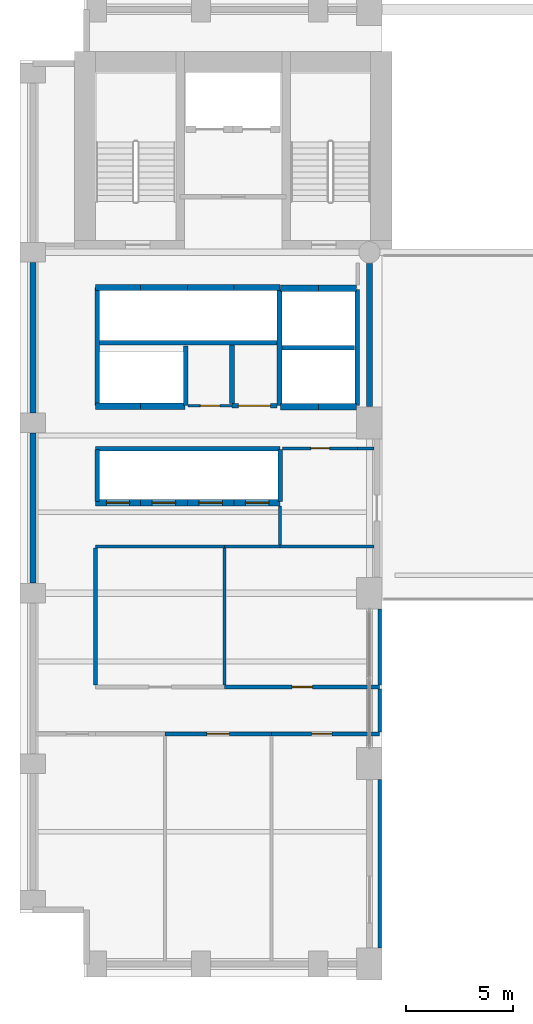
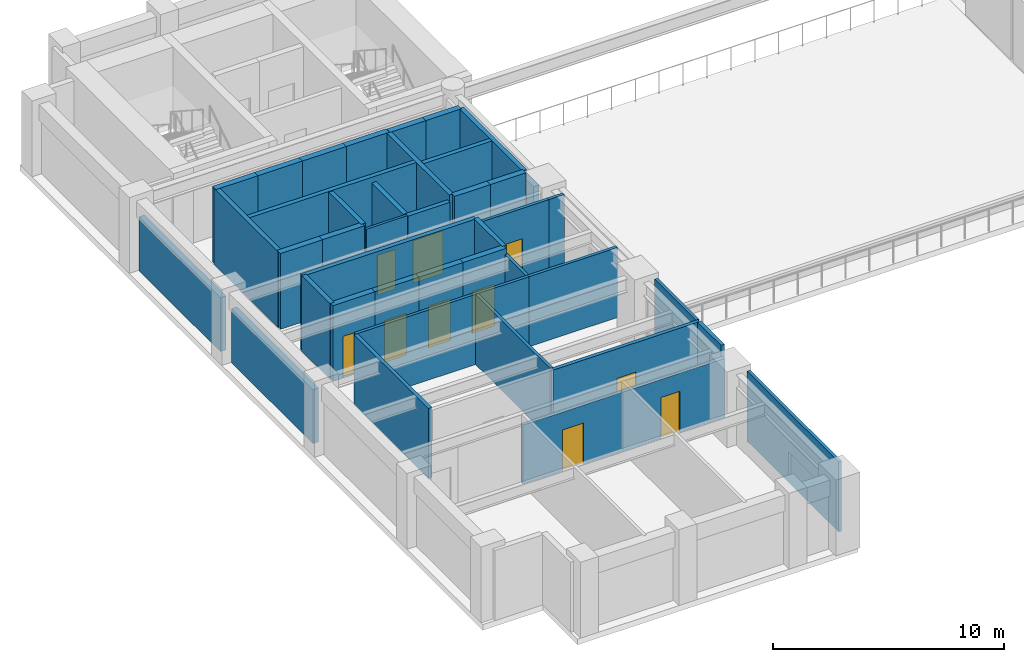
# One storey, part 5 of 12: 43 walls, 10 doors, 10 openings.
"""IFC4 building model written with IfcOpenShell, lengths in metres."""

from ifc_helpers import new_model, si_unit, direction, frame, frame_2d, origin, place, context, subcontext, project, spatial, rectangle, extrude, material, layer, layer_set, type_object, element, fill, save


model = new_model("IFC4")

# Units and contexts
model_context = context("Model", 3, precision=1e-05, world=origin(), true_north=direction((0.0, 1.0)))
body_context = subcontext(model_context, "Body", "Model", "MODEL_VIEW")
ifc_project = project(units=[si_unit("LENGTHUNIT", "METRE"), si_unit("AREAUNIT", "SQUARE_METRE"), si_unit("VOLUMEUNIT", "CUBIC_METRE"), si_unit("PLANEANGLEUNIT", "RADIAN"), si_unit("MASSUNIT", "GRAM", prefix="KILO")], contexts=[model_context])

# Site, building, storey
site_placement = place(None, origin())
site = spatial("IfcSite", under=ifc_project, at=site_placement, CompositionType="ELEMENT")
building_placement = place(site_placement, origin())
building = spatial("IfcBuilding", under=site, at=building_placement, Name="Sulina Concourse Tower", CompositionType="ELEMENT")
storey_placement = place(building_placement, frame((0.0, 0.0, 38.60009765625)))
storey = spatial("IfcBuildingStorey", under=building, at=storey_placement, Name="L09", CompositionType="ELEMENT", Elevation=38.60009765625)

# Walls
ifc_material_1 = material(Name="Concrete C50/60", Category="concrete")
ifc_layer_1 = layer(ifc_material_1, 0.219970703125)
ifc_layer_set_1 = layer_set([ifc_layer_1], Name="Concrete C50/60")
wall_type_1 = type_object("IfcWallType", Name="Core Lift Hoistway Divider Wall 220mm", PredefinedType="SOLIDWALL", material=ifc_layer_set_1)
wall_1_placement = place(storey_placement, frame((3.550048828125, 29.75, 0.0), z_axis=(0.0, 0.0, 1.0), x_axis=(1.0, 0.0, 0.0)))
element("IfcWall", 1, at=wall_1_placement, inside=storey, type_object=wall_type_1, Name="L09 shaft divider wall HW-LP3-S", PredefinedType="SOLIDWALL", context=body_context, shape_type="SweptSolid", body=[
    extrude(rectangle(XDim=8.64990234375, YDim=0.219970703125, at=frame_2d((4.324951171875, 0.0))), origin(), (0.0, 0.0, 1.0), 4.0),
])
wall_2_placement = place(storey_placement, frame((3.6298828125, 26.800048828125, 0.0), z_axis=(0.0, 0.0, 1.0), x_axis=(0.0, 1.0, 0.0)))
element("IfcWall", 2, at=wall_2_placement, inside=storey, type_object=wall_type_1, Name="L09 shaft divider wall HW-LP3-W", PredefinedType="SOLIDWALL", context=body_context, shape_type="SweptSolid", body=[
    extrude(rectangle(XDim=5.550048828125, YDim=0.219970703125, at=frame_2d((2.77490234375, 0.0))), origin(), (0.0, 0.0, 1.0), 4.0),
])
wall_3_placement = place(storey_placement, frame((7.780029296875, 26.800048828125, 0.0), z_axis=(0.0, 0.0, 1.0), x_axis=(0.0, 1.0, 0.0)))
element("IfcWall", 3, at=wall_3_placement, inside=storey, type_object=wall_type_1, Name="L09 shaft divider wall HW-EXP-E", PredefinedType="SOLIDWALL", context=body_context, shape_type="SweptSolid", body=[
    extrude(rectangle(XDim=2.800048828125, YDim=0.219970703125, at=frame_2d((1.39990234375, 0.0))), origin(), (0.0, 0.0, 1.0), 4.0),
])
for number, where, z_axis, x_axis, name in (
    (4, (12.179931640625, 26.800048828125, 0.0), (0.0, 0.0, 1.0), (0.0, 1.0, 0.0), "L09 shaft divider wall HW-LP2-W"),
    (5, (15.820068359375, 26.800048828125, 0.0), (0.0, 0.0, 1.0), (0.0, 1.0, 0.0), "L09 shaft divider wall HW-LP2-E"),
):
    element("IfcWall", number, at=place(storey_placement, frame(where, z_axis=z_axis, x_axis=x_axis)), inside=storey, type_object=wall_type_1, Name=name, PredefinedType="SOLIDWALL", context=body_context, shape_type="SweptSolid", body=[
        extrude(rectangle(XDim=5.449951171875, YDim=0.219970703125, at=frame_2d((2.72509765625, 0.0))), origin(), (0.0, 0.0, 1.0), 4.0),
    ])
wall_4_placement = place(storey_placement, frame((12.300048828125, 29.52001953125, 0.0), z_axis=(0.0, 0.0, 1.0), x_axis=(1.0, 0.0, 0.0)))
element("IfcWall", 6, at=wall_4_placement, inside=storey, type_object=wall_type_1, Name="L09 shaft divider wall HW-LP2-M", PredefinedType="SOLIDWALL", context=body_context, shape_type="SweptSolid", body=[
    extrude(rectangle(XDim=3.39990234375, YDim=0.219970703125, at=frame_2d((1.699951171875, 0.0))), origin(), (0.0, 0.0, 1.0), 4.0),
])
wall_5_placement = place(storey_placement, frame((3.550048828125, 24.780029296875, 0.0), z_axis=(0.0, 0.0, 1.0), x_axis=(1.0, 0.0, 0.0)))
element("IfcWall", 7, at=wall_5_placement, inside=storey, type_object=wall_type_1, Name="L09 shaft divider wall HW-LP1-N", PredefinedType="SOLIDWALL", context=body_context, shape_type="SweptSolid", body=[
    extrude(rectangle(XDim=8.64990234375, YDim=0.219970703125, at=frame_2d((4.324951171875, 0.0))), origin(), (0.0, 0.0, 1.0), 4.0),
])
for number, where, z_axis, x_axis, name in (
    (8, (3.6298828125, 22.300048828125, 0.0), (0.0, 0.0, 1.0), (0.0, 1.0, 0.0), "L09 shaft divider wall HW-LP1-W"),
    (9, (12.219970703125, 22.300048828125, 0.0), (0.0, 0.0, 1.0), (0.0, 1.0, 0.0), "L09 shaft divider wall HW-LP1-E"),
):
    element("IfcWall", number, at=place(storey_placement, frame(where, z_axis=z_axis, x_axis=x_axis)), inside=storey, type_object=wall_type_1, Name=name, PredefinedType="SOLIDWALL", context=body_context, shape_type="SweptSolid", body=[
        extrude(rectangle(XDim=2.449951171875, YDim=0.219970703125, at=frame_2d((1.22509765625, 0.0))), origin(), (0.0, 0.0, 1.0), 4.0),
    ])

# Wall, opening, door
ifc_material_2 = material(Name="Concrete C50/60", Category="concrete")
ifc_layer_2 = layer(ifc_material_2, 0.300048828125)
ifc_layer_set_2 = layer_set([ifc_layer_2], Name="Concrete C50/60")
wall_type_2 = type_object("IfcWallType", Name="Core Lift Hoistway Wall 300mm", PredefinedType="SOLIDWALL", material=ifc_layer_set_2)
wall_6_placement = place(storey_placement, frame((5.64990234375, 22.25, 0.0), z_axis=(0.0, 0.0, 1.0), x_axis=(-1.0, 0.0, 0.0)))
wall_6 = element("IfcWall", 10, at=wall_6_placement, inside=storey, type_object=wall_type_2, Name="L09 hoistway enclosure wall LP-01", PredefinedType="SOLIDWALL", context=body_context, shape_type="SweptSolid", body=[
    extrude(rectangle(XDim=2.099853515625, YDim=0.300048828125, at=frame_2d((1.0498046875, 0.0))), origin(), (0.0, 0.0, 1.0), 4.0),
])
opening_1_placement = place(wall_6_placement, frame((0.5, 0.0, 0.0)))
opening_1 = element("IfcOpeningElement", 11, at=opening_1_placement, cuts=wall_6, Name="Opening LD-01", PredefinedType="OPENING", context=body_context, shape_type="SweptSolid", body=[
    extrude(rectangle(XDim=1.10009765625, YDim=2.199951171875, at=frame_2d((0.550048828125, 1.10009765625))), frame((0.0, 0.159912109375, 0.0), z_axis=(0.0, -1.0, 0.0), x_axis=(1.0, 0.0, 0.0)), (0.0, 0.0, 1.0), 0.320068359375),
])
ifc_material_3 = material(Name="Stainless steel lift landing door", Category="steel")
ifc_layer_3 = layer(ifc_material_3, 0.050048828125)
ifc_layer_set_3 = layer_set([ifc_layer_3], Name="Stainless steel lift landing door")
door_type_1 = type_object("IfcDoorType", Name="Passenger Lift Sliding Landing Door 1100x2200", OperationType="SLIDING_TO_LEFT", PredefinedType="DOOR", material=ifc_layer_set_3)
door_1_placement = place(opening_1_placement, origin())
door_1 = element("IfcDoor", 12, at=door_1_placement, inside=storey, type_object=door_type_1, Name="L09 lift landing sliding door LP-01", OperationType="SLIDING_TO_LEFT", OverallHeight=2.199951171875, OverallWidth=1.10009765625, PredefinedType="DOOR", context=body_context, shape_type="SweptSolid", body=[
    extrude(rectangle(XDim=1.10009765625, YDim=2.199951171875, at=frame_2d((0.550048828125, 1.10009765625))), frame((0.0, 0.02490234375, 0.0), z_axis=(0.0, -1.0, 0.0), x_axis=(1.0, 0.0, 0.0)), (0.0, 0.0, 1.0), 0.050048828125),
])
fill(opening_1, door_1)

wall_7_placement = place(storey_placement, frame((7.85009765625, 22.25, 0.0), z_axis=(0.0, 0.0, 1.0), x_axis=(-1.0, 0.0, 0.0)))
wall_7 = element("IfcWall", 13, at=wall_7_placement, inside=storey, type_object=wall_type_2, Name="L09 hoistway enclosure wall LP-02", PredefinedType="SOLIDWALL", context=body_context, shape_type="SweptSolid", body=[
    extrude(rectangle(XDim=2.2001953125, YDim=0.300048828125, at=frame_2d((1.10009765625, 0.0))), origin(), (0.0, 0.0, 1.0), 4.0),
])
opening_2_placement = place(wall_7_placement, frame((0.550048828125, 0.0, 0.0)))
opening_2 = element("IfcOpeningElement", 14, at=opening_2_placement, cuts=wall_7, Name="Opening LD-01", PredefinedType="OPENING", context=body_context, shape_type="SweptSolid", body=[
    extrude(rectangle(XDim=1.10009765625, YDim=2.199951171875, at=frame_2d((0.550048828125, 1.10009765625))), frame((0.0, 0.159912109375, 0.0), z_axis=(0.0, -1.0, 0.0), x_axis=(1.0, 0.0, 0.0)), (0.0, 0.0, 1.0), 0.320068359375),
])
door_2_placement = place(opening_2_placement, origin())
door_2 = element("IfcDoor", 15, at=door_2_placement, inside=storey, type_object=door_type_1, Name="L09 lift landing sliding door LP-02", OperationType="SLIDING_TO_RIGHT", OverallHeight=2.199951171875, OverallWidth=1.10009765625, PredefinedType="DOOR", context=body_context, shape_type="SweptSolid", body=[
    extrude(rectangle(XDim=1.10009765625, YDim=2.199951171875, at=frame_2d((0.550048828125, 1.10009765625))), frame((0.0, 0.02490234375, 0.0), z_axis=(0.0, -1.0, 0.0), x_axis=(1.0, 0.0, 0.0)), (0.0, 0.0, 1.0), 0.050048828125),
])
fill(opening_2, door_2)

wall_8_placement = place(storey_placement, frame((10.050048828125, 22.25, 0.0), z_axis=(0.0, 0.0, 1.0), x_axis=(-1.0, 0.0, 0.0)))
wall_8 = element("IfcWall", 16, at=wall_8_placement, inside=storey, type_object=wall_type_2, Name="L09 hoistway enclosure wall LP-03", PredefinedType="SOLIDWALL", context=body_context, shape_type="SweptSolid", body=[
    extrude(rectangle(XDim=2.199951171875, YDim=0.300048828125, at=frame_2d((1.10009765625, 0.0))), origin(), (0.0, 0.0, 1.0), 4.0),
])
opening_3_placement = place(wall_8_placement, frame((0.550048828125, 0.0, 0.0)))
opening_3 = element("IfcOpeningElement", 17, at=opening_3_placement, cuts=wall_8, Name="Opening LD-01", PredefinedType="OPENING", context=body_context, shape_type="SweptSolid", body=[
    extrude(rectangle(XDim=1.10009765625, YDim=2.199951171875, at=frame_2d((0.550048828125, 1.10009765625))), frame((0.0, 0.159912109375, 0.0), z_axis=(0.0, -1.0, 0.0), x_axis=(1.0, 0.0, 0.0)), (0.0, 0.0, 1.0), 0.320068359375),
])
door_3_placement = place(opening_3_placement, origin())
door_3 = element("IfcDoor", 18, at=door_3_placement, inside=storey, type_object=door_type_1, Name="L09 lift landing sliding door LP-03", OperationType="SLIDING_TO_LEFT", OverallHeight=2.199951171875, OverallWidth=1.10009765625, PredefinedType="DOOR", context=body_context, shape_type="SweptSolid", body=[
    extrude(rectangle(XDim=1.10009765625, YDim=2.199951171875, at=frame_2d((0.550048828125, 1.10009765625))), frame((0.0, 0.02490234375, 0.0), z_axis=(0.0, -1.0, 0.0), x_axis=(1.0, 0.0, 0.0)), (0.0, 0.0, 1.0), 0.050048828125),
])
fill(opening_3, door_3)

wall_9_placement = place(storey_placement, frame((12.199951171875, 22.25, 0.0), z_axis=(0.0, 0.0, 1.0), x_axis=(-1.0, 0.0, 0.0)))
wall_9 = element("IfcWall", 19, at=wall_9_placement, inside=storey, type_object=wall_type_2, Name="L09 hoistway enclosure wall LP-04", PredefinedType="SOLIDWALL", context=body_context, shape_type="SweptSolid", body=[
    extrude(rectangle(XDim=2.14990234375, YDim=0.300048828125, at=frame_2d((1.074951171875, 0.0))), origin(), (0.0, 0.0, 1.0), 4.0),
])
opening_4_placement = place(wall_9_placement, frame((0.52490234375, 0.0, 0.0)))
opening_4 = element("IfcOpeningElement", 20, at=opening_4_placement, cuts=wall_9, Name="Opening LD-01", PredefinedType="OPENING", context=body_context, shape_type="SweptSolid", body=[
    extrude(rectangle(XDim=1.10009765625, YDim=2.199951171875, at=frame_2d((0.550048828125, 1.10009765625))), frame((0.0, 0.159912109375, 0.0), z_axis=(0.0, -1.0, 0.0), x_axis=(1.0, 0.0, 0.0)), (0.0, 0.0, 1.0), 0.320068359375),
])
door_4_placement = place(opening_4_placement, origin())
door_4 = element("IfcDoor", 21, at=door_4_placement, inside=storey, type_object=door_type_1, Name="L09 lift landing sliding door LP-04", OperationType="SLIDING_TO_RIGHT", OverallHeight=2.199951171875, OverallWidth=1.10009765625, PredefinedType="DOOR", context=body_context, shape_type="SweptSolid", body=[
    extrude(rectangle(XDim=1.10009765625, YDim=2.199951171875, at=frame_2d((0.550048828125, 1.10009765625))), frame((0.0, 0.02490234375, 0.0), z_axis=(0.0, -1.0, 0.0), x_axis=(1.0, 0.0, 0.0)), (0.0, 0.0, 1.0), 0.050048828125),
])
fill(opening_4, door_4)

# Walls
for number, where, z_axis, x_axis, name in (
    (22, (14.0, 26.75, 0.0), (0.0, 0.0, 1.0), (-1.0, 0.0, 0.0), "L09 hoistway enclosure wall LP-05"),
    (23, (15.780029296875, 26.75, 0.0), (0.0, 0.0, 1.0), (-1.0, 0.0, 0.0), "L09 hoistway enclosure wall LP-06"),
    (24, (12.219970703125, 32.320068359375, 0.0), (0.0, 0.0, 1.0), (1.0, 0.0, 0.0), "L09 hoistway enclosure wall LP-07"),
    (25, (14.0, 32.320068359375, 0.0), (0.0, 0.0, 1.0), (1.0, 0.0, 0.0), "L09 hoistway enclosure wall LP-08"),
):
    element("IfcWall", number, at=place(storey_placement, frame(where, z_axis=z_axis, x_axis=x_axis)), inside=storey, type_object=wall_type_2, Name=name, PredefinedType="SOLIDWALL", context=body_context, shape_type="SweptSolid", body=[
        extrude(rectangle(XDim=1.780029296875, YDim=0.300048828125, at=frame_2d((0.89013671875, 0.0))), origin(), (0.0, 0.0, 1.0), 4.0),
    ])
wall_10_placement = place(storey_placement, frame((3.550048828125, 32.35009765625, 0.0), z_axis=(0.0, 0.0, 1.0), x_axis=(1.0, 0.0, 0.0)))
element("IfcWall", 26, at=wall_10_placement, inside=storey, type_object=wall_type_2, Name="L09 hoistway enclosure wall LP-09", PredefinedType="SOLIDWALL", context=body_context, shape_type="SweptSolid", body=[
    extrude(rectangle(XDim=2.099853515625, YDim=0.300048828125, at=frame_2d((1.0498046875, 0.0))), origin(), (0.0, 0.0, 1.0), 4.0),
])
wall_11_placement = place(storey_placement, frame((5.64990234375, 32.35009765625, 0.0), z_axis=(0.0, 0.0, 1.0), x_axis=(1.0, 0.0, 0.0)))
element("IfcWall", 27, at=wall_11_placement, inside=storey, type_object=wall_type_2, Name="L09 hoistway enclosure wall LP-10", PredefinedType="SOLIDWALL", context=body_context, shape_type="SweptSolid", body=[
    extrude(rectangle(XDim=2.2001953125, YDim=0.300048828125, at=frame_2d((1.10009765625, 0.0))), origin(), (0.0, 0.0, 1.0), 4.0),
])
wall_12_placement = place(storey_placement, frame((7.85009765625, 32.35009765625, 0.0), z_axis=(0.0, 0.0, 1.0), x_axis=(1.0, 0.0, 0.0)))
element("IfcWall", 28, at=wall_12_placement, inside=storey, type_object=wall_type_2, Name="L09 hoistway enclosure wall LP-11", PredefinedType="SOLIDWALL", context=body_context, shape_type="SweptSolid", body=[
    extrude(rectangle(XDim=2.199951171875, YDim=0.300048828125, at=frame_2d((1.10009765625, 0.0))), origin(), (0.0, 0.0, 1.0), 4.0),
])
wall_13_placement = place(storey_placement, frame((10.050048828125, 32.35009765625, 0.0), z_axis=(0.0, 0.0, 1.0), x_axis=(1.0, 0.0, 0.0)))
element("IfcWall", 29, at=wall_13_placement, inside=storey, type_object=wall_type_2, Name="L09 hoistway enclosure wall LP-12", PredefinedType="SOLIDWALL", context=body_context, shape_type="SweptSolid", body=[
    extrude(rectangle(XDim=2.14990234375, YDim=0.300048828125, at=frame_2d((1.074951171875, 0.0))), origin(), (0.0, 0.0, 1.0), 4.0),
])
wall_14_placement = place(storey_placement, frame((5.64990234375, 26.780029296875, 0.0), z_axis=(0.0, 0.0, 1.0), x_axis=(-1.0, 0.0, 0.0)))
element("IfcWall", 30, at=wall_14_placement, inside=storey, type_object=wall_type_2, Name="L09 hoistway enclosure wall EXP-1", PredefinedType="SOLIDWALL", context=body_context, shape_type="SweptSolid", body=[
    extrude(rectangle(XDim=2.099853515625, YDim=0.300048828125, at=frame_2d((1.0498046875, 0.0))), origin(), (0.0, 0.0, 1.0), 4.0),
])
wall_15_placement = place(storey_placement, frame((7.75, 26.780029296875, 0.0), z_axis=(0.0, 0.0, 1.0), x_axis=(-1.0, 0.0, 0.0)))
element("IfcWall", 31, at=wall_15_placement, inside=storey, type_object=wall_type_2, Name="L09 hoistway enclosure wall EXP-2", PredefinedType="SOLIDWALL", context=body_context, shape_type="SweptSolid", body=[
    extrude(rectangle(XDim=2.10009765625, YDim=0.300048828125, at=frame_2d((1.050048828125, 0.0))), origin(), (0.0, 0.0, 1.0), 4.0),
])

# Wall, opening, door
ifc_material_4 = material(Name="Gypsum board on steel stud", Category="steel")
ifc_layer_4 = layer(ifc_material_4, 0.219970703125)
ifc_layer_set_4 = layer_set([ifc_layer_4], Name="Gypsum board on steel stud")
wall_type_3 = type_object("IfcWallType", Name="Fire-Rated Lobby & Compartment Wall 220mm", PredefinedType="PARTITIONING", material=ifc_layer_set_4)
wall_16_placement = place(storey_placement, frame((9.949951171875, 26.800048828125, 0.0), z_axis=(0.0, 0.0, 1.0), x_axis=(1.0, 0.0, 0.0)))
wall_16 = element("IfcWall", 32, at=wall_16_placement, inside=storey, type_object=wall_type_3, Name="L09 interior partition 019", PredefinedType="PARTITIONING", context=body_context, shape_type="SweptSolid", body=[
    extrude(rectangle(XDim=2.10009765625, YDim=0.219970703125, at=frame_2d((1.050048828125, 0.0))), origin(), (0.0, 0.0, 1.0), 3.699951171875),
])
opening_5_placement = place(wall_16_placement, frame((0.300048828125, 0.0, 0.0)))
opening_5 = element("IfcOpeningElement", 33, at=opening_5_placement, cuts=wall_16, Name="Opening DR-80", PredefinedType="OPENING", context=body_context, shape_type="SweptSolid", body=[
    extrude(rectangle(XDim=1.5, YDim=2.25, at=frame_2d((0.75, 1.125))), frame((0.0, 0.119873046875, 0.0), z_axis=(0.0, -1.0, 0.0), x_axis=(1.0, 0.0, 0.0)), (0.0, 0.0, 1.0), 0.239990234375),
])
ifc_material_5 = material(Name="Galvanised steel acoustic fire leaf", Category="steel")
ifc_layer_5 = layer(ifc_material_5, 0.054931640625)
ifc_layer_set_5 = layer_set([ifc_layer_5], Name="Galvanised steel acoustic fire leaf")
door_type_2 = type_object("IfcDoorType", Name="Mechanical Plant Double Fire Door 1500x2250", OperationType="DOUBLE_DOOR_SINGLE_SWING", PredefinedType="DOOR", material=ifc_layer_set_5)
door_5_placement = place(opening_5_placement, origin())
door_5 = element("IfcDoor", 34, at=door_5_placement, inside=storey, type_object=door_type_2, Name="L09 interior door L09-IT-IDF", OperationType="DOUBLE_DOOR_SINGLE_SWING", OverallHeight=2.25, OverallWidth=1.5, PredefinedType="DOOR", context=body_context, shape_type="SweptSolid", body=[
    extrude(rectangle(XDim=1.5, YDim=2.25, at=frame_2d((0.75, 1.125))), frame((0.0, 0.02490234375, 0.0), z_axis=(0.0, -1.0, 0.0), x_axis=(1.0, 0.0, 0.0)), (0.0, 0.0, 1.0), 0.050048828125),
])
fill(opening_5, door_5)

# Walls
wall_17_placement = place(storey_placement, frame((9.949951171875, 26.909912109375, 0.0), z_axis=(0.0, 0.0, 1.0), x_axis=(0.0, 1.0, 0.0)))
element("IfcWall", 35, at=wall_17_placement, inside=storey, type_object=wall_type_3, Name="L09 interior partition 032", PredefinedType="PARTITIONING", context=body_context, shape_type="SweptSolid", body=[
    extrude(rectangle(XDim=2.72998046875, YDim=0.219970703125, at=frame_2d((1.364990234375, 0.0))), origin(), (0.0, 0.0, 1.0), 3.699951171875),
])
ifc_material_6 = material(Name="Gypsum board on steel stud", Category="steel")
ifc_layer_6 = layer(ifc_material_6, 0.14990234375)
ifc_layer_set_6 = layer_set([ifc_layer_6], Name="Gypsum board on steel stud")
wall_type_4 = type_object("IfcWallType", Name="Inter-Tenancy Acoustic Partition 150mm", PredefinedType="PARTITIONING", material=ifc_layer_set_6)
wall_18_placement = place(storey_placement, frame((3.550048828125, 20.199951171875, 0.0), z_axis=(0.0, 0.0, 1.0), x_axis=(1.0, 0.0, 0.0)))
element("IfcWall", 36, at=wall_18_placement, inside=storey, type_object=wall_type_4, Name="L09 interior partition 012", PredefinedType="PARTITIONING", context=body_context, shape_type="SweptSolid", body=[
    extrude(rectangle(XDim=6.050048828125, YDim=0.14990234375, at=frame_2d((3.02490234375, 0.0))), origin(), (0.0, 0.0, 1.0), 3.699951171875),
])
wall_19_placement = place(storey_placement, frame((9.60009765625, 20.199951171875, 0.0), z_axis=(0.0, 0.0, 1.0), x_axis=(1.0, 0.0, 0.0)))
element("IfcWall", 37, at=wall_19_placement, inside=storey, type_object=wall_type_4, Name="L09 interior partition 013", PredefinedType="PARTITIONING", context=body_context, shape_type="SweptSolid", body=[
    extrude(rectangle(XDim=2.599853515625, YDim=0.14990234375, at=frame_2d((1.2998046875, 0.0))), origin(), (0.0, 0.0, 1.0), 3.699951171875),
])
wall_20_placement = place(storey_placement, frame((12.199951171875, 20.199951171875, 0.0), z_axis=(0.0, 0.0, 1.0), x_axis=(1.0, 0.0, 0.0)))
element("IfcWall", 38, at=wall_20_placement, inside=storey, type_object=wall_type_4, Name="L09 interior partition 014", PredefinedType="PARTITIONING", context=body_context, shape_type="SweptSolid", body=[
    extrude(rectangle(XDim=4.41015625, YDim=0.14990234375, at=frame_2d((2.205078125, 0.0))), origin(), (0.0, 0.0, 1.0), 3.699951171875),
])

# Wall, opening, door
wall_21_placement = place(storey_placement, frame((12.330078125, 24.800048828125, 0.0), z_axis=(0.0, 0.0, 1.0), x_axis=(1.0, 0.0, 0.0)))
wall_21 = element("IfcWall", 39, at=wall_21_placement, inside=storey, type_object=wall_type_4, Name="L09 interior partition 016", PredefinedType="PARTITIONING", context=body_context, shape_type="SweptSolid", body=[
    extrude(rectangle(XDim=3.52001953125, YDim=0.14990234375, at=frame_2d((1.760009765625, 0.0))), origin(), (0.0, 0.0, 1.0), 3.699951171875),
])
opening_6_placement = place(wall_21_placement, frame((1.320068359375, 0.0, 0.0)))
opening_6 = element("IfcOpeningElement", 40, at=opening_6_placement, cuts=wall_21, Name="Opening DR-38", PredefinedType="OPENING", context=body_context, shape_type="SweptSolid", body=[
    extrude(rectangle(XDim=0.8798828125, YDim=2.10009765625, at=frame_2d((0.43994140625, 1.050048828125))), frame((0.0, 0.0849609375, 0.0), z_axis=(0.0, -1.0, 0.0), x_axis=(1.0, 0.0, 0.0)), (0.0, 0.0, 1.0), 0.169921875),
])
ifc_material_7 = material(Name="Galvanised steel acoustic fire leaf", Category="steel")
ifc_layer_7 = layer(ifc_material_7, 0.050048828125)
ifc_layer_set_7 = layer_set([ifc_layer_7], Name="Galvanised steel acoustic fire leaf")
door_type_3 = type_object("IfcDoorType", Name="Service Riser Fire Door 880x2100", OperationType="NOTDEFINED", PredefinedType="DOOR", material=ifc_layer_set_7)
door_6_placement = place(opening_6_placement, origin())
door_6 = element("IfcDoor", 41, at=door_6_placement, inside=storey, type_object=door_type_3, Name="L09 interior door L09-STR-WL", OperationType="SINGLE_SWING_LEFT", OverallHeight=2.10009765625, OverallWidth=0.8798828125, PredefinedType="DOOR", context=body_context, shape_type="SweptSolid", body=[
    extrude(rectangle(XDim=0.8798828125, YDim=2.10009765625, at=frame_2d((0.43994140625, 1.050048828125))), frame((0.0, 0.02490234375, 0.0), z_axis=(0.0, -1.0, 0.0), x_axis=(1.0, 0.0, 0.0)), (0.0, 0.0, 1.0), 0.050048828125),
])
fill(opening_6, door_6)

# Walls
wall_22_placement = place(storey_placement, frame((15.85009765625, 24.800048828125, 0.0), z_axis=(0.0, 0.0, 1.0), x_axis=(1.0, 0.0, 0.0)))
element("IfcWall", 42, at=wall_22_placement, inside=storey, type_object=wall_type_4, Name="L09 interior partition 017", PredefinedType="PARTITIONING", context=body_context, shape_type="SweptSolid", body=[
    extrude(rectangle(XDim=0.760009765625, YDim=0.14990234375, at=frame_2d((0.3798828125, 0.0))), origin(), (0.0, 0.0, 1.0), 3.699951171875),
])
wall_23_placement = place(storey_placement, frame((9.60009765625, 13.68994140625, 0.0), z_axis=(0.0, 0.0, 1.0), x_axis=(0.0, 1.0, 0.0)))
element("IfcWall", 43, at=wall_23_placement, inside=storey, type_object=wall_type_4, Name="L09 interior partition 031", PredefinedType="PARTITIONING", context=body_context, shape_type="SweptSolid", body=[
    extrude(rectangle(XDim=6.43505859375, YDim=0.14990234375, at=frame_2d((3.217529296875, 0.0))), origin(), (0.0, 0.0, 1.0), 3.699951171875),
])
wall_24_placement = place(storey_placement, frame((12.199951171875, 20.27490234375, 0.0), z_axis=(0.0, 0.0, 1.0), x_axis=(0.0, 1.0, 0.0)))
element("IfcWall", 44, at=wall_24_placement, inside=storey, type_object=wall_type_4, Name="L09 interior partition 034", PredefinedType="PARTITIONING", context=body_context, shape_type="SweptSolid", body=[
    extrude(rectangle(XDim=1.8251953125, YDim=0.14990234375, at=frame_2d((0.91259765625, 0.0))), origin(), (0.0, 0.0, 1.0), 3.699951171875),
])
wall_25_placement = place(storey_placement, frame((16.8798828125, 1.35009765625, 0.0), z_axis=(0.0, 0.0, 1.0), x_axis=(0.0, 1.0, 0.0)))
element("IfcWall", 45, at=wall_25_placement, inside=storey, type_object=wall_type_4, Name="L09 interior partition 036", PredefinedType="PARTITIONING", context=body_context, shape_type="SweptSolid", body=[
    extrude(rectangle(XDim=7.89990234375, YDim=0.14990234375, at=frame_2d((3.949951171875, 0.0))), origin(), (0.0, 0.0, 1.0), 3.699951171875),
])
wall_26_placement = place(storey_placement, frame((16.8798828125, 13.68994140625, 0.0), z_axis=(0.0, 0.0, 1.0), x_axis=(0.0, 1.0, 0.0)))
element("IfcWall", 46, at=wall_26_placement, inside=storey, type_object=wall_type_4, Name="L09 interior partition 038", PredefinedType="PARTITIONING", context=body_context, shape_type="SweptSolid", body=[
    extrude(rectangle(XDim=3.56005859375, YDim=0.14990234375, at=frame_2d((1.780029296875, 0.0))), origin(), (0.0, 0.0, 1.0), 3.699951171875),
])

# Wall, opening, door
ifc_material_8 = material(Name="Gypsum board on steel stud", Category="steel")
ifc_layer_8 = layer(ifc_material_8, 0.179931640625)
ifc_layer_set_8 = layer_set([ifc_layer_8], Name="Gypsum board on steel stud")
wall_type_5 = type_object("IfcWallType", Name="Protected Corridor & Riser Partition 180mm", PredefinedType="PARTITIONING", material=ifc_layer_set_8)
wall_27_placement = place(storey_placement, frame((6.800048828125, 11.39990234375, 0.0), z_axis=(0.0, 0.0, 1.0), x_axis=(1.0, 0.0, 0.0)))
wall_27 = element("IfcWall", 47, at=wall_27_placement, inside=storey, type_object=wall_type_5, Name="L09 interior partition 006", PredefinedType="PARTITIONING", context=body_context, shape_type="SweptSolid", body=[
    extrude(rectangle(XDim=5.0, YDim=0.179931640625, at=frame_2d((2.5, 0.0))), origin(), (0.0, 0.0, 1.0), 3.094970703125),
])
opening_7_placement = place(wall_27_placement, frame((1.97509765625, 0.0, 0.0)))
opening_7 = element("IfcOpeningElement", 48, at=opening_7_placement, cuts=wall_27, Name="Opening DR-37", PredefinedType="OPENING", context=body_context, shape_type="SweptSolid", body=[
    extrude(rectangle(XDim=1.050048828125, YDim=2.14990234375, at=frame_2d((0.52490234375, 1.074951171875))), frame((0.0, 0.099853515625, 0.0), z_axis=(0.0, -1.0, 0.0), x_axis=(1.0, 0.0, 0.0)), (0.0, 0.0, 1.0), 0.199951171875),
])
ifc_material_9 = material(Name="Oak-veneered fire door leaf")
ifc_layer_9 = layer(ifc_material_9, 0.050048828125)
ifc_layer_set_9 = layer_set([ifc_layer_9], Name="Oak-veneered fire door leaf")
door_type_4 = type_object("IfcDoorType", Name="Tenant Suite Entrance Fire Door 1050x2150", OperationType="NOTDEFINED", PredefinedType="DOOR", material=ifc_layer_set_9)
door_7_placement = place(opening_7_placement, origin())
door_7 = element("IfcDoor", 49, at=door_7_placement, inside=storey, type_object=door_type_4, Name="L09 interior door L09-CAF-W1", OperationType="SINGLE_SWING_LEFT", OverallHeight=2.14990234375, OverallWidth=1.050048828125, PredefinedType="DOOR", context=body_context, shape_type="SweptSolid", body=[
    extrude(rectangle(XDim=1.050048828125, YDim=2.14990234375, at=frame_2d((0.52490234375, 1.074951171875))), frame((0.0, 0.02490234375, 0.0), z_axis=(0.0, -1.0, 0.0), x_axis=(1.0, 0.0, 0.0)), (0.0, 0.0, 1.0), 0.050048828125),
])
fill(opening_7, door_7)

wall_28_placement = place(storey_placement, frame((11.800048828125, 11.39990234375, 0.0), z_axis=(0.0, 0.0, 1.0), x_axis=(1.0, 0.0, 0.0)))
wall_28 = element("IfcWall", 50, at=wall_28_placement, inside=storey, type_object=wall_type_5, Name="L09 interior partition 007", PredefinedType="PARTITIONING", context=body_context, shape_type="SweptSolid", body=[
    extrude(rectangle(XDim=5.079833984375, YDim=0.179931640625, at=frame_2d((2.5400390625, 0.0))), origin(), (0.0, 0.0, 1.0), 3.094970703125),
])
opening_8_placement = place(wall_28_placement, frame((1.885009765625, 0.0, 0.0)))
opening_8 = element("IfcOpeningElement", 51, at=opening_8_placement, cuts=wall_28, Name="Opening DR-19", PredefinedType="OPENING", context=body_context, shape_type="SweptSolid", body=[
    extrude(rectangle(XDim=0.949951171875, YDim=2.14990234375, at=frame_2d((0.47509765625, 1.074951171875))), frame((0.0, 0.099853515625, 0.0), z_axis=(0.0, -1.0, 0.0), x_axis=(1.0, 0.0, 0.0)), (0.0, 0.0, 1.0), 0.199951171875),
])
ifc_material_10 = material(Name="Oak-veneered acoustic timber leaf", Category="wood")
ifc_layer_10 = layer(ifc_material_10, 0.050048828125)
ifc_layer_set_10 = layer_set([ifc_layer_10], Name="Oak-veneered acoustic timber leaf")
door_type_5 = type_object("IfcDoorType", Name="Cellular Office & Meeting Door 950x2150", OperationType="NOTDEFINED", PredefinedType="DOOR", material=ifc_layer_set_10)
door_8_placement = place(opening_8_placement, origin())
door_8 = element("IfcDoor", 52, at=door_8_placement, inside=storey, type_object=door_type_5, Name="L09 interior door L09-SEM-W1", OperationType="SINGLE_SWING_RIGHT", OverallHeight=2.14990234375, OverallWidth=0.949951171875, PredefinedType="DOOR", context=body_context, shape_type="SweptSolid", body=[
    extrude(rectangle(XDim=0.949951171875, YDim=2.14990234375, at=frame_2d((0.47509765625, 1.074951171875))), frame((0.0, 0.02490234375, 0.0), z_axis=(0.0, -1.0, 0.0), x_axis=(1.0, 0.0, 0.0)), (0.0, 0.0, 1.0), 0.050048828125),
])
fill(opening_8, door_8)

wall_29_placement = place(storey_placement, frame((9.60009765625, 13.60009765625, 0.0), z_axis=(0.0, 0.0, 1.0), x_axis=(1.0, 0.0, 0.0)))
wall_29 = element("IfcWall", 53, at=wall_29_placement, inside=storey, type_object=wall_type_5, Name="L09 interior partition 009", PredefinedType="PARTITIONING", context=body_context, shape_type="SweptSolid", body=[
    extrude(rectangle(XDim=7.27978515625, YDim=0.179931640625, at=frame_2d((3.639892578125, 0.0))), origin(), (0.0, 0.0, 1.0), 3.699951171875),
])
opening_9_placement = place(wall_29_placement, frame((3.1650390625, 0.0, 0.0)))
opening_9 = element("IfcOpeningElement", 54, at=opening_9_placement, cuts=wall_29, Name="Opening DR-19", PredefinedType="OPENING", context=body_context, shape_type="SweptSolid", body=[
    extrude(rectangle(XDim=0.949951171875, YDim=2.14990234375, at=frame_2d((0.47509765625, 1.074951171875))), frame((0.0, 0.099853515625, 0.0), z_axis=(0.0, -1.0, 0.0), x_axis=(1.0, 0.0, 0.0)), (0.0, 0.0, 1.0), 0.199951171875),
])
door_9_placement = place(opening_9_placement, origin())
door_9 = element("IfcDoor", 55, at=door_9_placement, inside=storey, type_object=door_type_5, Name="L09 interior door L09-OFF-W2", OperationType="SINGLE_SWING_RIGHT", OverallHeight=2.14990234375, OverallWidth=0.949951171875, PredefinedType="DOOR", context=body_context, shape_type="SweptSolid", body=[
    extrude(rectangle(XDim=0.949951171875, YDim=2.14990234375, at=frame_2d((0.47509765625, 1.074951171875))), frame((0.0, 0.02490234375, 0.0), z_axis=(0.0, -1.0, 0.0), x_axis=(1.0, 0.0, 0.0)), (0.0, 0.0, 1.0), 0.050048828125),
])
fill(opening_9, door_9)

# Walls
wall_30_placement = place(storey_placement, frame((3.550048828125, 13.68994140625, 0.0), z_axis=(0.0, 0.0, 1.0), x_axis=(0.0, 1.0, 0.0)))
element("IfcWall", 56, at=wall_30_placement, inside=storey, type_object=wall_type_5, Name="L09 interior partition 029", PredefinedType="PARTITIONING", context=body_context, shape_type="SweptSolid", body=[
    extrude(rectangle(XDim=6.43505859375, YDim=0.179931640625, at=frame_2d((3.217529296875, 0.0))), origin(), (0.0, 0.0, 1.0), 3.699951171875),
])
wall_31_placement = place(storey_placement, frame((16.8798828125, 11.489990234375, 0.0), z_axis=(0.0, 0.0, 1.0), x_axis=(0.0, 1.0, 0.0)))
element("IfcWall", 57, at=wall_31_placement, inside=storey, type_object=wall_type_5, Name="L09 interior partition 037", PredefinedType="PARTITIONING", context=body_context, shape_type="SweptSolid", body=[
    extrude(rectangle(XDim=2.02001953125, YDim=0.179931640625, at=frame_2d((1.010009765625, 0.0))), origin(), (0.0, 0.0, 1.0), 3.699951171875),
])
ifc_material_11 = material(Name="Precast concrete C50/60", Category="concrete")
ifc_layer_11 = layer(ifc_material_11, 0.280029296875)
ifc_layer_set_11 = layer_set([ifc_layer_11], Name="Precast concrete C50/60")
wall_type_6 = type_object("IfcWallType", Name="Typical Precast Masonry-Frame Facade Wall 280mm", PredefinedType="SOLIDWALL", material=ifc_layer_set_11)
for number, where, z_axis, x_axis, name in (
    (58, (0.60009765625, 18.469970703125, 0.0), (0.0, 0.0, 1.0), (0.0, 1.0, 0.0), "L09 exterior precast wall W3"),
    (59, (0.60009765625, 26.469970703125, 0.0), (0.0, 0.0, 1.0), (0.0, 1.0, 0.0), "L09 exterior precast wall W4"),
):
    element("IfcWall", number, at=place(storey_placement, frame(where, z_axis=z_axis, x_axis=x_axis)), inside=storey, type_object=wall_type_6, Name=name, PredefinedType="SOLIDWALL", context=body_context, shape_type="SweptSolid", body=[
        extrude(rectangle(XDim=7.06005859375, YDim=0.280029296875, at=frame_2d((3.530029296875, 0.0))), origin(), (0.0, 0.0, 1.0), 2.849853515625),
    ])
wall_32_placement = place(storey_placement, frame((16.39990234375, 33.47998046875, 0.0), z_axis=(0.0, 0.0, 1.0), x_axis=(0.0, -1.0, 0.0)))
element("IfcWall", 60, at=wall_32_placement, inside=storey, type_object=wall_type_6, Name="L09 exterior precast wall PW4", PredefinedType="SOLIDWALL", context=body_context, shape_type="SweptSolid", body=[
    extrude(rectangle(XDim=6.7099609375, YDim=0.280029296875, at=frame_2d((3.35498046875, 0.0))), origin(), (0.0, 0.0, 1.0), 3.0),
])

# Wall, opening, door
ifc_material_12 = material(Name="Gypsum board on steel stud", Category="steel")
ifc_layer_12 = layer(ifc_material_12, 0.125)
ifc_layer_set_12 = layer_set([ifc_layer_12], Name="Gypsum board on steel stud")
wall_type_7 = type_object("IfcWallType", Name="Wet-Area Moisture-Resistant Partition 125mm", PredefinedType="PARTITIONING", material=ifc_layer_set_12)
wall_33_placement = place(storey_placement, frame((7.889892578125, 26.800048828125, 0.0), z_axis=(0.0, 0.0, 1.0), x_axis=(1.0, 0.0, 0.0)))
wall_33 = element("IfcWall", 61, at=wall_33_placement, inside=storey, type_object=wall_type_7, Name="L09 interior partition 018", PredefinedType="PARTITIONING", context=body_context, shape_type="SweptSolid", body=[
    extrude(rectangle(XDim=2.06005859375, YDim=0.125, at=frame_2d((1.030029296875, 0.0))), origin(), (0.0, 0.0, 1.0), 3.699951171875),
])
opening_10_placement = place(wall_33_placement, frame((0.570068359375, 0.0, 0.0)))
opening_10 = element("IfcOpeningElement", 62, at=opening_10_placement, cuts=wall_33, Name="Opening DR-61", PredefinedType="OPENING", context=body_context, shape_type="SweptSolid", body=[
    extrude(rectangle(XDim=0.919921875, YDim=2.10009765625, at=frame_2d((0.4599609375, 1.050048828125))), frame((0.0, 0.072509765625, 0.0), z_axis=(0.0, -1.0, 0.0), x_axis=(1.0, 0.0, 0.0)), (0.0, 0.0, 1.0), 0.14501953125),
])
ifc_material_13 = material(Name="Oak-veneered fire door leaf")
ifc_layer_13 = layer(ifc_material_13, 0.050048828125)
ifc_layer_set_13 = layer_set([ifc_layer_13], Name="Oak-veneered fire door leaf")
door_type_6 = type_object("IfcDoorType", Name="Accessible WC Door 920x2100", OperationType="NOTDEFINED", PredefinedType="DOOR", material=ifc_layer_set_13)
door_10_placement = place(opening_10_placement, origin())
door_10 = element("IfcDoor", 63, at=door_10_placement, inside=storey, type_object=door_type_6, Name="L09 interior door L09-WC-ACC", OperationType="SINGLE_SWING_RIGHT", OverallHeight=2.10009765625, OverallWidth=0.919921875, PredefinedType="DOOR", context=body_context, shape_type="SweptSolid", body=[
    extrude(rectangle(XDim=0.919921875, YDim=2.10009765625, at=frame_2d((0.4599609375, 1.050048828125))), frame((0.0, 0.02490234375, 0.0), z_axis=(0.0, -1.0, 0.0), x_axis=(1.0, 0.0, 0.0)), (0.0, 0.0, 1.0), 0.050048828125),
])
fill(opening_10, door_10)

save(model, "model.ifc")
